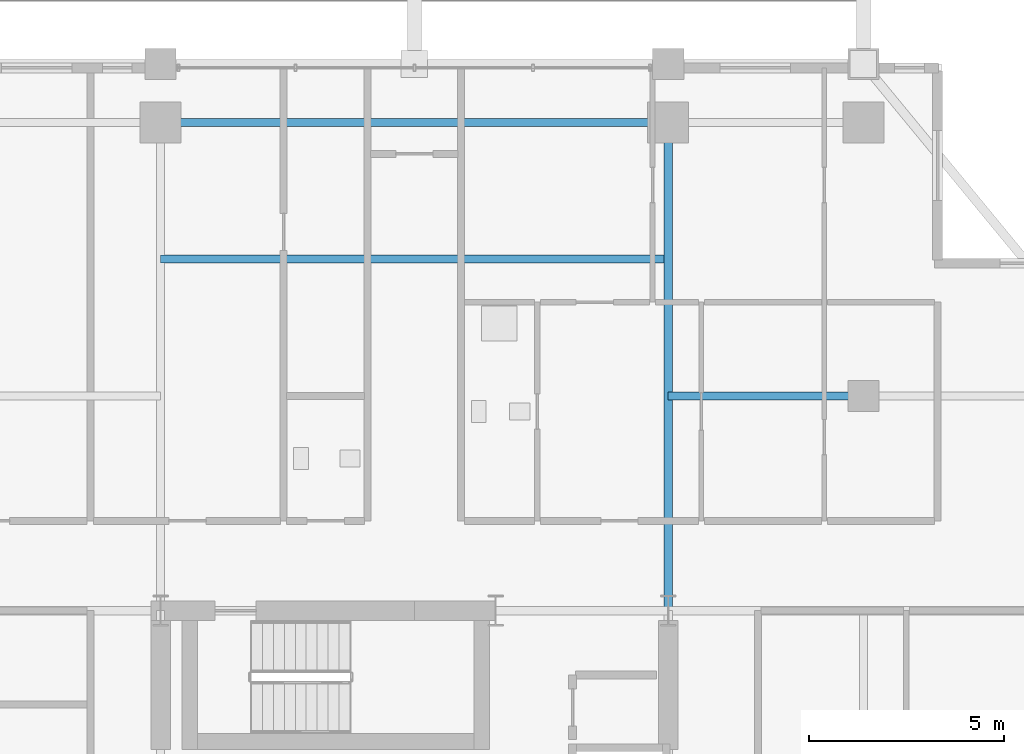
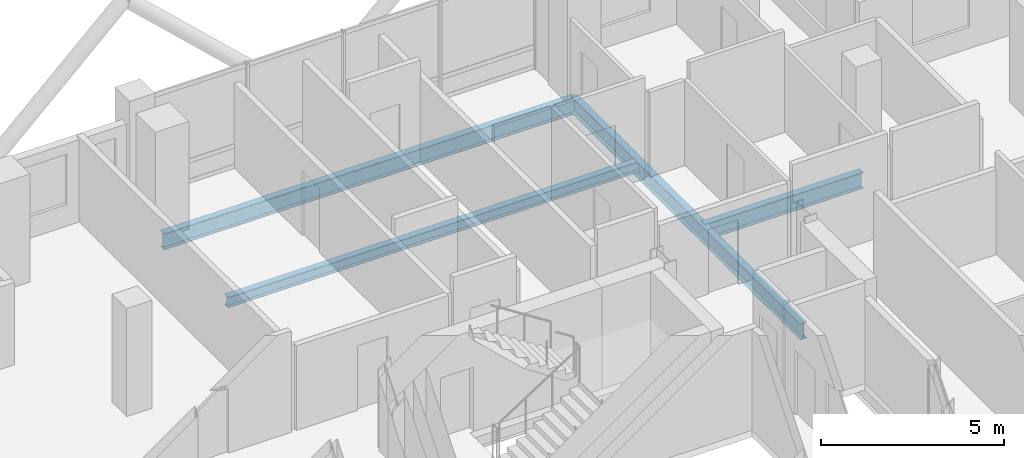
# One storey, part 16 of 26: 4 beams.
"""IFC4 building model written with IfcOpenShell, lengths in metres."""

import ifcopenshell
import ifcopenshell.guid

model = None  # the IFC model being written
_history = None  # IfcOwnerHistory: only IFC2X3 demands one
_inside = {}  # id of a spatial element -> (the spatial element, [elements in it])
_under = {}  # id of a project, library or spatial element -> (it, [spatial elements below it])
_declared = {}  # id of a project -> (the project, [libraries it declares])
_typed = {}  # id of a type object -> (the type object, [elements of that type])
_made_of = {}  # id of a material, layer set ... -> (it, [elements and type objects made of it])


def new_model(schema):
    """Start an empty IFC model of exactly this schema.

    Asked for "IFC4X3", IfcOpenShell would pick the latest addendum, in which some entities
    have other attributes; the version numbers below select the first issue.
    IFC2X3 requires an IfcOwnerHistory on every rooted entity: one is made here for all.
    """
    global model, _history
    if schema == "IFC4X3":
        model = ifcopenshell.file(schema_version=(4, 3, 0, 0))
    else:
        model = ifcopenshell.file(schema=schema)
    _inside.clear()
    _under.clear()
    _declared.clear()
    _typed.clear()
    _made_of.clear()
    _history = None
    if model.schema == "IFC2X3":
        org = make("IfcOrganization", Name="unknown")
        user = make(
            "IfcPersonAndOrganization",
            ThePerson=make("IfcPerson", FamilyName="unknown"),
            TheOrganization=org,
        )
        app = make(
            "IfcApplication",
            ApplicationDeveloper=org,
            Version="unknown",
            ApplicationFullName="unknown",
            ApplicationIdentifier="unknown",
        )
        _history = make(
            "IfcOwnerHistory",
            OwningUser=user,
            OwningApplication=app,
            ChangeAction="ADDED",
            CreationDate=0,
        )
    return model


def make(cls, **values):
    """One entity of the class cls with the attributes given. An attribute that is None is left unset."""
    return model.create_entity(
        cls, **{name: value for name, value in values.items() if value is not None}
    )


def rooted(cls, **values):
    """An entity with a GlobalId (a new one), such as an element, a storey or a relation."""
    return make(cls, GlobalId=ifcopenshell.guid.new(), OwnerHistory=_history, **values)


def si_unit(unit_type, name, prefix=None):
    """IfcSIUnit, for example si_unit("LENGTHUNIT", "METRE", prefix="MILLI")."""
    return make("IfcSIUnit", UnitType=unit_type, Prefix=prefix, Name=name)


def assignment(units):
    """IfcUnitAssignment: the units of a project."""
    return None if units is None else make("IfcUnitAssignment", Units=units)


def point(xyz):
    """IfcCartesianPoint."""
    return None if xyz is None else make("IfcCartesianPoint", Coordinates=xyz)


def direction(xyz):
    """IfcDirection."""
    return None if xyz is None else make("IfcDirection", DirectionRatios=xyz)


def frame(location, z_axis=None, x_axis=None):
    """IfcAxis2Placement3D, a coordinate frame: its origin and axes. An axis left out is left unset."""
    return make(
        "IfcAxis2Placement3D",
        Location=point(location),
        Axis=direction(z_axis),
        RefDirection=direction(x_axis),
    )


def frame_2d(location, x_axis=None):
    """IfcAxis2Placement2D, a coordinate frame in the plane: its origin and x axis."""
    return make(
        "IfcAxis2Placement2D", Location=point(location), RefDirection=direction(x_axis)
    )


def origin():
    """The frame at (0, 0, 0) with its axes left unset."""
    return frame((0.0, 0.0, 0.0))


def origin_2d():
    """The frame at (0, 0) in the plane with its x axis left unset."""
    return frame_2d((0.0, 0.0))


def place(relative_to, where):
    """IfcLocalPlacement: puts the frame where relative to a parent placement (None: the world)."""
    return make(
        "IfcLocalPlacement", PlacementRelTo=relative_to, RelativePlacement=where
    )


def context(
    kind, dimensions, precision=None, world=None, true_north=None, identifier=None
):
    """IfcGeometricRepresentationContext, for example the 3D "Model" context."""
    return make(
        "IfcGeometricRepresentationContext",
        ContextIdentifier=identifier,
        ContextType=kind,
        CoordinateSpaceDimension=dimensions,
        Precision=precision,
        WorldCoordinateSystem=world,
        TrueNorth=true_north,
    )


def subcontext(parent, identifier, kind, view, scale=None):
    """IfcGeometricRepresentationSubContext, for example "Body" below "Model"."""
    return make(
        "IfcGeometricRepresentationSubContext",
        ContextIdentifier=identifier,
        ContextType=kind,
        ParentContext=parent,
        TargetScale=scale,
        TargetView=view,
    )


def project(units=None, contexts=None):
    """IfcProject with its units and contexts."""
    return rooted(
        "IfcProject",
        Name="project",
        RepresentationContexts=contexts,
        UnitsInContext=assignment(units),
    )


def spatial(cls, under=None, at=None, **own):
    """A site, building, storey or space (cls), placed at a placement, below another one or the project."""
    s = rooted(cls, ObjectPlacement=at, **own)
    if under is not None:
        _under.setdefault(under.id(), (under, []))[1].append(s)
    return s


def profile(cls, at=None, kind="AREA", **sizes):
    """A parametric profile (cls). Its sizes go by their IFC names, for example OverallWidth=200.0."""
    return make(cls, ProfileType=kind, Position=at, **sizes)


def i_section(**sizes):
    """IfcIShapeProfileDef."""
    return profile("IfcIShapeProfileDef", **sizes)


def extrude(swept, where, along, depth):
    """IfcExtrudedAreaSolid: the profile swept, set in the frame where, extruded along a direction by depth."""
    return make(
        "IfcExtrudedAreaSolid",
        SweptArea=swept,
        Position=where,
        ExtrudedDirection=direction(along),
        Depth=depth,
    )


def shape(context_of_items, identifier, shape_type, items):
    """IfcShapeRepresentation: the items that make up one representation, for example the "Body"."""
    return make(
        "IfcShapeRepresentation",
        ContextOfItems=context_of_items,
        RepresentationIdentifier=identifier,
        RepresentationType=shape_type,
        Items=items,
    )


def material(Name=None, Category=None):
    """IfcMaterial."""
    return make("IfcMaterial", Name=Name, Category=Category)


def material_profile(
    of_material, cross_section, Name=None, Category=None, Priority=None
):
    """IfcMaterialProfile: a cross section and its material."""
    return make(
        "IfcMaterialProfile",
        Name=Name,
        Material=of_material,
        Profile=cross_section,
        Priority=Priority,
        Category=Category,
    )


def profile_set(profiles, Name=None, composite=None):
    """IfcMaterialProfileSet."""
    return make(
        "IfcMaterialProfileSet",
        Name=Name,
        MaterialProfiles=profiles,
        CompositeProfile=composite,
    )


def made_of(thing, what):
    """Note that an element or type object is made of a material, layer set ...; save() writes the relation."""
    if what is not None:
        _made_of.setdefault(what.id(), (what, []))[1].append(thing)
    return thing


def type_object(cls, material=None, **own):
    """A type object (cls), such as IfcWallType, which elements share."""
    return made_of(rooted(cls, **own), material)


def element(
    cls,
    number,
    at=None,
    inside=None,
    cuts=None,
    type_object=None,
    material=None,
    context=None,
    identifier="Body",
    shape_type=None,
    held_by="IfcProductDefinitionShape",
    body=None,
    shapes=None,
    **own,
):
    """One element of the class cls, such as IfcWall. Its Tag is "e" and its number.

    at: its placement. inside: the storey or other place that contains it. cuts: it is an
    opening in that element (IfcRelVoidsElement). A single representation is given by context,
    identifier, shape_type and body (its items); several are given by shapes. held_by: the class
    of the entity that holds the representations. save() writes the other relations.
    """
    e = rooted(cls, Tag="e%d" % number, ObjectPlacement=at, **own)
    if body is not None:
        shapes = [shape(context, identifier, shape_type, body)]
    if shapes is not None:
        e.Representation = make(held_by, Representations=shapes)
    if inside is not None:
        _inside.setdefault(inside.id(), (inside, []))[1].append(e)
    if cuts is not None:
        rooted(
            "IfcRelVoidsElement", RelatingBuildingElement=cuts, RelatedOpeningElement=e
        )
    if type_object is not None:
        _typed.setdefault(type_object.id(), (type_object, []))[1].append(e)
    return made_of(e, material)


def aggregate(whole, parts):
    """IfcRelAggregates: a whole, such as a stair, and the parts it consists of."""
    return rooted("IfcRelAggregates", RelatingObject=whole, RelatedObjects=parts)


def save(model, path):
    """Write the relations noted so far, then the file.

    IfcRelAggregates (storeys below a building ...), IfcRelContainedInSpatialStructure (elements
    in a storey), IfcRelDefinesByType, IfcRelAssociatesMaterial and IfcRelDeclares: one each for
    every whole, place, type object, material and project.
    """
    for whole, parts in _under.values():
        aggregate(whole, parts)
    for where, things in _inside.values():
        rooted(
            "IfcRelContainedInSpatialStructure",
            RelatedElements=things,
            RelatingStructure=where,
        )
    for kind, things in _typed.values():
        rooted("IfcRelDefinesByType", RelatedObjects=things, RelatingType=kind)
    for what, things in _made_of.values():
        rooted("IfcRelAssociatesMaterial", RelatedObjects=things, RelatingMaterial=what)
    for by, libraries in _declared.values():
        rooted("IfcRelDeclares", RelatingContext=by, RelatedDefinitions=libraries)
    model.write(path)


model = new_model("IFC4")

# Units and contexts
model_context = context("Model", 3, precision=1e-05, world=origin(), true_north=direction((0.0, 1.0)))
body_context = subcontext(model_context, "Body", "Model", "MODEL_VIEW")
ifc_project = project(units=[si_unit("LENGTHUNIT", "METRE"), si_unit("AREAUNIT", "SQUARE_METRE"), si_unit("VOLUMEUNIT", "CUBIC_METRE"), si_unit("PLANEANGLEUNIT", "RADIAN"), si_unit("MASSUNIT", "GRAM", prefix="KILO")], contexts=[model_context])

# Site, building, storey
site_placement = place(None, origin())
site = spatial("IfcSite", under=ifc_project, at=site_placement, CompositionType="ELEMENT")
building_placement = place(site_placement, origin())
building = spatial("IfcBuilding", under=site, at=building_placement, Name="Barlavira Tower and Art Museum", CompositionType="ELEMENT")
storey_placement = place(building_placement, frame((0.0, 0.0, 176.39990234375)))
storey = spatial("IfcBuildingStorey", under=building, at=storey_placement, Name="L45", CompositionType="ELEMENT", Elevation=176.39990234375)

# Beams
ifc_material = material(Name="Steel S355", Category="steel")
ifc_material_profile_1 = material_profile(ifc_material, i_section(OverallWidth=0.205078125, OverallDepth=0.35400390625, WebThickness=0.009521484375, FlangeThickness=0.016845703125, at=origin_2d()), Name="W360x79.0")
ifc_profile_set_1 = profile_set([ifc_material_profile_1], Name="Steel S355")
beam_type_1 = type_object("IfcBeamType", Name="Zone 3 Composite Floor Joist W360x79 Steel S355", PredefinedType="JOIST", material=ifc_profile_set_1)
beam_1_placement = place(storey_placement, frame((-6.5, 16.5, -0.39697265625), z_axis=(1.0, 0.0, 0.0), x_axis=(0.0, 1.0, 0.0)))
element("IfcBeam", 1, at=beam_1_placement, inside=storey, type_object=beam_type_1, Name="L45 Joist C2", PredefinedType="JOIST", context=body_context, shape_type="SweptSolid", body=[
    extrude(i_section(OverallWidth=0.205078125, OverallDepth=0.35400390625, WebThickness=0.009521484375, FlangeThickness=0.016845703125, at=origin_2d()), origin(), (0.0, 0.0, 1.0), 13.0),
])
ifc_material_profile_2 = material_profile(ifc_material, i_section(OverallWidth=0.2109375, OverallDepth=0.5390625, WebThickness=0.01171875, FlangeThickness=0.018798828125, at=origin_2d()), Name="W530x109.0")
ifc_profile_set_2 = profile_set([ifc_material_profile_2], Name="Steel S355")
beam_type_2 = type_object("IfcBeamType", Name="Zone 3-4 Primary Floor Girder W530x109 Steel S355", PredefinedType="BEAM", material=ifc_profile_set_2)
beam_2_placement = place(storey_placement, frame((-6.5, 20.0, -0.489501953125), z_axis=(1.0, 0.0, 0.0), x_axis=(0.0, 1.0, 0.0)))
element("IfcBeam", 2, at=beam_2_placement, inside=storey, type_object=beam_type_2, Name="L45 Girder M-N2", PredefinedType="BEAM", context=body_context, shape_type="SweptSolid", body=[
    extrude(i_section(OverallWidth=0.2109375, OverallDepth=0.5390625, WebThickness=0.01171875, FlangeThickness=0.018798828125, at=origin_2d()), origin(), (0.0, 0.0, 1.0), 13.0),
])
beam_3_placement = place(storey_placement, frame((6.5, 7.5, -0.489501953125), z_axis=(0.0, 1.0, 0.0), x_axis=(-1.0, 0.0, 0.0)))
element("IfcBeam", 3, at=beam_3_placement, inside=storey, type_object=beam_type_2, Name="L45 Girder R-N2", PredefinedType="BEAM", context=body_context, shape_type="SweptSolid", body=[
    extrude(i_section(OverallWidth=0.2109375, OverallDepth=0.5390625, WebThickness=0.01171875, FlangeThickness=0.018798828125, at=origin_2d()), origin(), (0.0, 0.0, 1.0), 12.5),
])
beam_4_placement = place(storey_placement, frame((6.5, 13.0, -0.489501953125), z_axis=(1.0, 0.0, 0.0), x_axis=(0.0, 1.0, 0.0)))
element("IfcBeam", 4, at=beam_4_placement, inside=storey, type_object=beam_type_2, Name="L45 Girder I-N3", PredefinedType="BEAM", context=body_context, shape_type="SweptSolid", body=[
    extrude(i_section(OverallWidth=0.2109375, OverallDepth=0.5390625, WebThickness=0.01171875, FlangeThickness=0.018798828125, at=origin_2d()), origin(), (0.0, 0.0, 1.0), 5.0),
])

save(model, "model.ifc")
